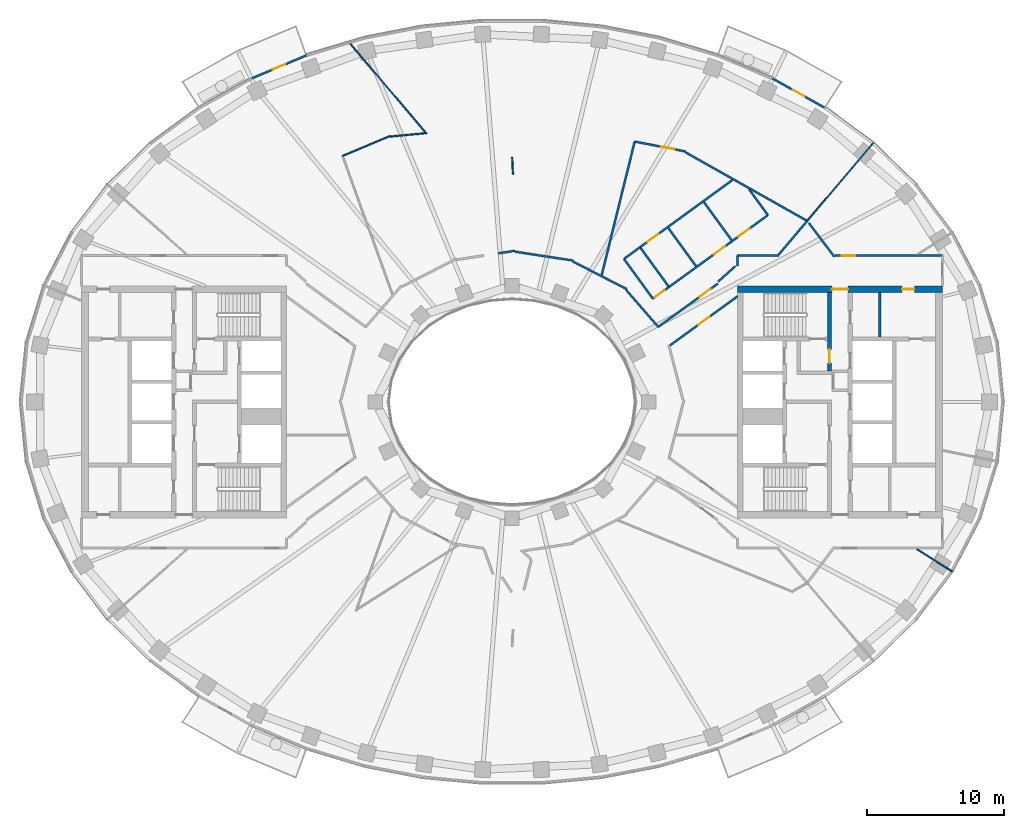
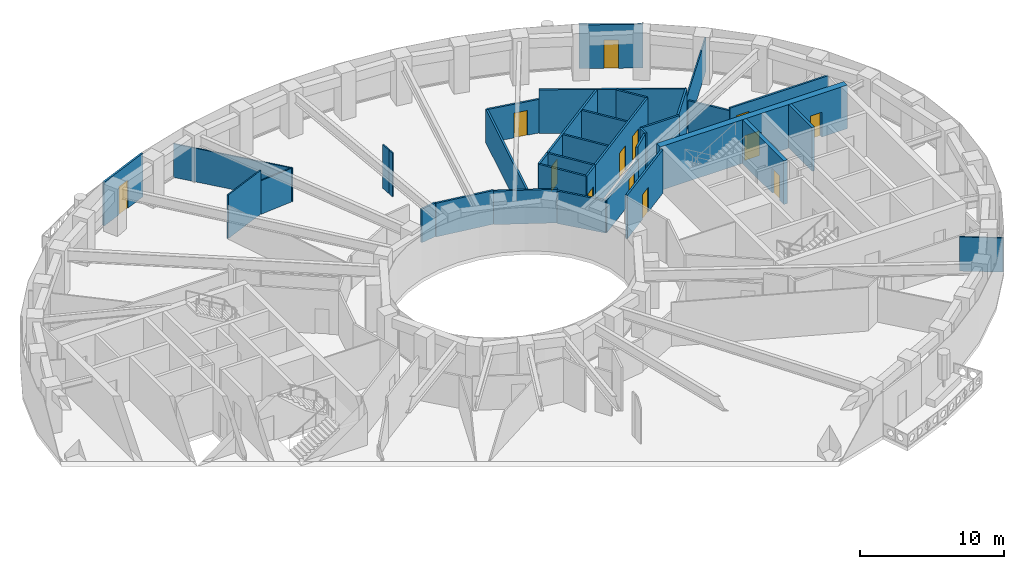
# One storey, part 6 of 15: 36 walls, 13 doors, 13 openings.
"""IFC4 building model written with IfcOpenShell, lengths in metres."""

from ifc_helpers import new_model, si_unit, direction, frame, frame_2d, origin, place, context, subcontext, project, spatial, rectangle, extrude, material, layer, layer_set, type_object, element, fill, save


model = new_model("IFC4")

# Units and contexts
model_context = context("Model", 3, precision=1e-05, world=origin(), true_north=direction((0.0, 1.0)))
body_context = subcontext(model_context, "Body", "Model", "MODEL_VIEW")
ifc_project = project(units=[si_unit("LENGTHUNIT", "METRE"), si_unit("AREAUNIT", "SQUARE_METRE"), si_unit("VOLUMEUNIT", "CUBIC_METRE"), si_unit("PLANEANGLEUNIT", "RADIAN"), si_unit("MASSUNIT", "GRAM", prefix="KILO")], contexts=[model_context])

# Site, building, storey
site_placement = place(None, origin())
site = spatial("IfcSite", under=ifc_project, at=site_placement, CompositionType="ELEMENT")
building_placement = place(site_placement, origin())
building = spatial("IfcBuilding", under=site, at=building_placement, Name="Noorbagh Ring Tower", CompositionType="ELEMENT")
storey_placement = place(building_placement, frame((0.0, 0.0, 194.0)))
storey = spatial("IfcBuildingStorey", under=building, at=storey_placement, Name="L45", CompositionType="ELEMENT", Elevation=194.0)

# Walls
ifc_material_1 = material(Name="Gypsum board on steel studs", Category="steel")
ifc_layer_1 = layer(ifc_material_1, 0.14990234375)
ifc_layer_set_1 = layer_set([ifc_layer_1], Name="Gypsum board on steel studs")
wall_type_1 = type_object("IfcWallType", Name="COMPARTMENT PARTITION 150 EI 60", PredefinedType="PARTITIONING", material=ifc_layer_set_1)
wall_1_placement = place(storey_placement, frame((8.195068359375, 10.462890625, 0.0), z_axis=(0.0, 0.0, 1.0), x_axis=(0.58806271403, -0.80881533391, 0.0)))
element("IfcWall", 1, at=wall_1_placement, inside=storey, type_object=wall_type_1, Name="L45/wall/P44", PredefinedType="PARTITIONING", context=body_context, shape_type="SweptSolid", body=[
    extrude(rectangle(XDim=3.596435546875, YDim=0.14990234375, at=frame_2d((1.79833984375, 0.0))), origin(), (0.0, 0.0, 1.0), 3.699951171875),
])
wall_2_placement = place(storey_placement, frame((8.196044921875, 10.468994140625, 0.0), z_axis=(0.0, 0.0, 1.0), x_axis=(0.809244737618, 0.587471662838, 0.0)))
element("IfcWall", 2, at=wall_2_placement, inside=storey, type_object=wall_type_1, Name="L45/wall/P45", PredefinedType="PARTITIONING", context=body_context, shape_type="SweptSolid", body=[
    extrude(rectangle(XDim=1.4521484375, YDim=0.14990234375, at=frame_2d((0.72607421875, 0.0))), origin(), (0.0, 0.0, 1.0), 3.699951171875),
])
wall_3_placement = place(storey_placement, frame((9.37109375, 11.322021484375, 0.0), z_axis=(0.0, 0.0, 1.0), x_axis=(0.58812733431, -0.808768346709, 0.0)))
element("IfcWall", 3, at=wall_3_placement, inside=storey, type_object=wall_type_1, Name="L45/wall/P49", PredefinedType="PARTITIONING", context=body_context, shape_type="SweptSolid", body=[
    extrude(rectangle(XDim=3.599365234375, YDim=0.14990234375, at=frame_2d((1.7998046875, 0.0))), origin(), (0.0, 0.0, 1.0), 3.699951171875),
])

# Wall, opening, door
wall_4_placement = place(storey_placement, frame((10.31005859375, 7.553955078125, 0.0), z_axis=(0.0, 0.0, 1.0), x_axis=(0.808663603061, 0.588271346476, 0.0)))
wall_4 = element("IfcWall", 4, at=wall_4_placement, inside=storey, type_object=wall_type_1, Name="L45/wall/P51", PredefinedType="PARTITIONING", context=body_context, shape_type="SweptSolid", body=[
    extrude(rectangle(XDim=1.456787109375, YDim=0.14990234375, at=frame_2d((0.728515625, 0.0))), origin(), (0.0, 0.0, 1.0), 3.699951171875),
])
opening_1_placement = place(wall_4_placement, frame((0.15673828125, 0.0, 0.0)))
opening_1 = element("IfcOpeningElement", 5, at=opening_1_placement, cuts=wall_4, Name="Opening D4", PredefinedType="OPENING", context=body_context, shape_type="SweptSolid", body=[
    extrude(rectangle(XDim=0.89990234375, YDim=2.10009765625, at=frame_2d((0.449951171875, 1.050048828125))), frame((0.0, 0.0849609375, 0.0), z_axis=(0.0, -1.0, 0.0), x_axis=(1.0, 0.0, 0.0)), (0.0, 0.0, 1.0), 0.169921875),
])
ifc_material_2 = material(Name="Timber, painted", Category="wood")
door_type_1 = type_object("IfcDoorType", Name="DOOR 900 X 2100 FD60", OperationType="SINGLE_SWING_LEFT", PredefinedType="DOOR", material=ifc_material_2)
door_1_placement = place(opening_1_placement, origin())
door_1 = element("IfcDoor", 6, at=door_1_placement, inside=storey, type_object=door_type_1, Name="L45-D05", OperationType="SINGLE_SWING_LEFT", OverallHeight=2.10009765625, OverallWidth=0.89990234375, PredefinedType="DOOR", context=body_context, shape_type="SweptSolid", body=[
    extrude(rectangle(XDim=0.89990234375, YDim=2.10009765625, at=frame_2d((0.449951171875, 1.050048828125))), frame((0.0, 0.02490234375, 0.0), z_axis=(0.0, -1.0, 0.0), x_axis=(1.0, 0.0, 0.0)), (0.0, 0.0, 1.0), 0.050048828125),
])
fill(opening_1, door_1)

# Wall
ifc_material_3 = material(Name="Gypsum board on steel studs", Category="steel")
ifc_layer_2 = layer(ifc_material_3, 0.199951171875)
ifc_layer_set_2 = layer_set([ifc_layer_2], Name="Gypsum board on steel studs")
wall_type_2 = type_object("IfcWallType", Name="CORE-PARTITION-200", PredefinedType="PARTITIONING", material=ifc_layer_set_2)
wall_5_placement = place(storey_placement, frame((26.89990234375, 4.75, 0.0), z_axis=(0.0, 0.0, 1.0), x_axis=(0.0, 1.0, 0.0)))
element("IfcWall", 7, at=wall_5_placement, inside=storey, type_object=wall_type_2, Name="Core partition E", PredefinedType="PARTITIONING", context=body_context, shape_type="SweptSolid", body=[
    extrude(rectangle(XDim=3.25, YDim=0.199951171875, at=frame_2d((1.625, 0.0))), origin(), (0.0, 0.0, 1.0), 3.699951171875),
])

# Wall, opening, door
ifc_material_4 = material(Name="Concrete C60/75", Category="concrete")
ifc_layer_3 = layer(ifc_material_4, 0.300048828125)
ifc_layer_set_3 = layer_set([ifc_layer_3], Name="Concrete C60/75")
wall_type_3 = type_object("IfcWallType", Name="CORE-WALL-300-C60-75-EI240", PredefinedType="SHEAR", material=ifc_layer_set_3)
wall_6_placement = place(storey_placement, frame((23.22998046875, 2.25, 0.0), z_axis=(0.0, 0.0, 1.0), x_axis=(0.0, 1.0, 0.0)))
wall_6 = element("IfcWall", 8, at=wall_6_placement, inside=storey, type_object=wall_type_3, Name="Core wall E", PredefinedType="SHEAR", context=body_context, shape_type="SweptSolid", body=[
    extrude(rectangle(XDim=5.75, YDim=0.300048828125, at=frame_2d((2.875, 0.0))), origin(), (0.0, 0.0, 1.0), 3.699951171875),
])
opening_2_placement = place(wall_6_placement, frame((0.60009765625, 0.0, 0.0)))
opening_2 = element("IfcOpeningElement", 9, at=opening_2_placement, cuts=wall_6, Name="Opening L45-CE10", PredefinedType="OPENING", context=body_context, shape_type="SweptSolid", body=[
    extrude(rectangle(XDim=1.0, YDim=2.10009765625, at=frame_2d((0.5, 1.050048828125))), frame((0.0, 0.16015625, 0.0), z_axis=(0.0, -1.0, 0.0), x_axis=(1.0, 0.0, 0.0)), (0.0, 0.0, 1.0), 0.320068359375),
])
ifc_material_5 = material(Name="Steel door leaf", Category="steel")
door_type_2 = type_object("IfcDoorType", Name="CORE-DOOR-DVEST", OperationType="SINGLE_SWING_LEFT", PredefinedType="DOOR", material=ifc_material_5)
door_2_placement = place(opening_2_placement, origin())
door_2 = element("IfcDoor", 10, at=door_2_placement, inside=storey, type_object=door_type_2, Name="Stair vestibule door L45-CE10", OperationType="SINGLE_SWING_RIGHT", OverallHeight=2.10009765625, OverallWidth=1.0, PredefinedType="DOOR", context=body_context, shape_type="SweptSolid", body=[
    extrude(rectangle(XDim=1.0, YDim=2.10009765625, at=frame_2d((0.5, 1.050048828125))), frame((0.0, 0.02490234375, 0.0), z_axis=(0.0, -1.0, 0.0), x_axis=(1.0, 0.0, 0.0)), (0.0, 0.0, 1.0), 0.050048828125),
])
fill(opening_2, door_2)

# Wall, openings, doors
ifc_material_6 = material(Name="Concrete C60/75", Category="concrete")
ifc_layer_4 = layer(ifc_material_6, 0.5)
ifc_layer_set_4 = layer_set([ifc_layer_4], Name="Concrete C60/75")
wall_type_4 = type_object("IfcWallType", Name="CORE-WALL-500-C60-75-EI240", PredefinedType="SHEAR", material=ifc_layer_set_4)
wall_7_placement = place(storey_placement, frame((16.5, 8.25, 0.0), z_axis=(0.0, 0.0, 1.0), x_axis=(1.0, 0.0, 0.0)))
wall_7 = element("IfcWall", 11, at=wall_7_placement, inside=storey, type_object=wall_type_4, Name="Core wall E", PredefinedType="SHEAR", context=body_context, shape_type="SweptSolid", body=[
    extrude(rectangle(XDim=15.0, YDim=0.5, at=frame_2d((7.5, 0.0))), origin(), (0.0, 0.0, 1.0), 3.699951171875),
])
opening_3_placement = place(wall_7_placement, frame((6.89990234375, 0.0, 0.0)))
opening_3 = element("IfcOpeningElement", 12, at=opening_3_placement, cuts=wall_7, Name="Opening L45-CE11", PredefinedType="OPENING", context=body_context, shape_type="SweptSolid", body=[
    extrude(rectangle(XDim=1.199951171875, YDim=2.10009765625, at=frame_2d((0.60009765625, 1.050048828125))), frame((0.0, 0.260009765625, 0.0), z_axis=(0.0, -1.0, 0.0), x_axis=(1.0, 0.0, 0.0)), (0.0, 0.0, 1.0), 0.52001953125),
])
opening_4_placement = place(wall_7_placement, frame((12.050048828125, 0.0, 0.0)))
opening_4 = element("IfcOpeningElement", 13, at=opening_4_placement, cuts=wall_7, Name="Opening L45-CE14", PredefinedType="OPENING", context=body_context, shape_type="SweptSolid", body=[
    extrude(rectangle(XDim=0.89990234375, YDim=2.10009765625, at=frame_2d((0.449951171875, 1.050048828125))), frame((0.0, 0.260009765625, 0.0), z_axis=(0.0, -1.0, 0.0), x_axis=(1.0, 0.0, 0.0)), (0.0, 0.0, 1.0), 0.52001953125),
])
ifc_material_7 = material(Name="Steel door leaf", Category="steel")
door_type_3 = type_object("IfcDoorType", Name="CORE-DOOR-DROOM", OperationType="SINGLE_SWING_LEFT", PredefinedType="DOOR", material=ifc_material_7)
door_3_placement = place(opening_4_placement, origin())
door_3 = element("IfcDoor", 14, at=door_3_placement, inside=storey, type_object=door_type_3, Name="Core room door L45-CE14", OperationType="SINGLE_SWING_LEFT", OverallHeight=2.10009765625, OverallWidth=0.89990234375, PredefinedType="DOOR", context=body_context, shape_type="SweptSolid", body=[
    extrude(rectangle(XDim=0.89990234375, YDim=2.10009765625, at=frame_2d((0.449951171875, 1.050048828125))), frame((0.0, 0.02490234375, 0.0), z_axis=(0.0, -1.0, 0.0), x_axis=(1.0, 0.0, 0.0)), (0.0, 0.0, 1.0), 0.050048828125),
])
fill(opening_4, door_3)
ifc_material_8 = material(Name="Steel door leaf", Category="steel")
door_type_4 = type_object("IfcDoorType", Name="CORE-DOOR-PORT", OperationType="DOUBLE_DOOR_DOUBLE_SWING", PredefinedType="DOOR", material=ifc_material_8)
door_4_placement = place(opening_3_placement, origin())
door_4 = element("IfcDoor", 15, at=door_4_placement, inside=storey, type_object=door_type_4, Name="Core entrance door L45-CE11", OperationType="DOUBLE_DOOR_DOUBLE_SWING", OverallHeight=2.10009765625, OverallWidth=1.199951171875, PredefinedType="DOOR", context=body_context, shape_type="SweptSolid", body=[
    extrude(rectangle(XDim=1.199951171875, YDim=2.10009765625, at=frame_2d((0.60009765625, 1.050048828125))), frame((0.0, 0.02490234375, 0.0), z_axis=(0.0, -1.0, 0.0), x_axis=(1.0, 0.0, 0.0)), (0.0, 0.0, 1.0), 0.050048828125),
])
fill(opening_3, door_4)

# Walls
ifc_material_9 = material(Name="Gypsum board on steel studs", Category="steel")
ifc_layer_5 = layer(ifc_material_9, 0.14990234375)
ifc_layer_set_5 = layer_set([ifc_layer_5], Name="Gypsum board on steel studs")
wall_type_5 = type_object("IfcWallType", Name="CORRIDOR PARTITION 150 EI 30", PredefinedType="PARTITIONING", material=ifc_layer_set_5)
wall_8_placement = place(storey_placement, frame((-0.992919921875, 10.8779296875, 0.0), z_axis=(0.0, 0.0, 1.0), x_axis=(0.988528636602, 0.151033554609, 0.0)))
element("IfcWall", 16, at=wall_8_placement, inside=storey, type_object=wall_type_5, Name="L45/wall/P30", PredefinedType="PARTITIONING", context=body_context, shape_type="SweptSolid", body=[
    extrude(rectangle(XDim=1.21875, YDim=0.14990234375, at=frame_2d((0.609375, 0.0))), origin(), (0.0, 0.0, 1.0), 2.85009765625),
])
wall_9_placement = place(storey_placement, frame((0.2119140625, 10.998046875, 0.0), z_axis=(0.0, 0.0, 1.0), x_axis=(0.988461077757, -0.151475073064, 0.0)))
element("IfcWall", 17, at=wall_9_placement, inside=storey, type_object=wall_type_5, Name="L45/wall/P32", PredefinedType="PARTITIONING", context=body_context, shape_type="SweptSolid", body=[
    extrude(rectangle(XDim=4.31787109375, YDim=0.14990234375, at=frame_2d((2.158935546875, 0.0))), origin(), (0.0, 0.0, 1.0), 2.85009765625),
])
wall_10_placement = place(storey_placement, frame((4.458984375, 10.278076171875, 0.0), z_axis=(0.0, 0.0, 1.0), x_axis=(0.889360097773, -0.457207410799, 0.0)))
element("IfcWall", 18, at=wall_10_placement, inside=storey, type_object=wall_type_5, Name="L45/wall/P41", PredefinedType="PARTITIONING", context=body_context, shape_type="SweptSolid", body=[
    extrude(rectangle(XDim=4.43359375, YDim=0.14990234375, at=frame_2d((2.216796875, 0.0))), origin(), (0.0, 0.0, 1.0), 2.85009765625),
])
wall_11_placement = place(storey_placement, frame((6.56396484375, 9.283935546875, 0.0), z_axis=(0.0, 0.0, 1.0), x_axis=(0.239852170724, 0.970809423213, 0.0)))
element("IfcWall", 19, at=wall_11_placement, inside=storey, type_object=wall_type_5, Name="L45/wall/P42", PredefinedType="PARTITIONING", context=body_context, shape_type="SweptSolid", body=[
    extrude(rectangle(XDim=10.064697265625, YDim=0.14990234375, at=frame_2d((5.0322265625, 0.0))), origin(), (0.0, 0.0, 1.0), 2.85009765625),
])
wall_12_placement = place(storey_placement, frame((8.35498046875, 8.18994140625, 0.0), z_axis=(0.0, 0.0, 1.0), x_axis=(0.656332459324, -0.754471803871, 0.0)))
element("IfcWall", 20, at=wall_12_placement, inside=storey, type_object=wall_type_5, Name="L45/wall/P47", PredefinedType="PARTITIONING", context=body_context, shape_type="SweptSolid", body=[
    extrude(rectangle(XDim=3.577392578125, YDim=0.14990234375, at=frame_2d((1.78857421875, 0.0))), origin(), (0.0, 0.0, 1.0), 2.75),
])

# Wall, opening, door
wall_13_placement = place(storey_placement, frame((8.97802734375, 19.054931640625, 0.0), z_axis=(0.0, 0.0, 1.0), x_axis=(0.981391609534, -0.192016949083, 0.0)))
wall_13 = element("IfcWall", 21, at=wall_13_placement, inside=storey, type_object=wall_type_5, Name="L45/wall/P48", PredefinedType="PARTITIONING", context=body_context, shape_type="SweptSolid", body=[
    extrude(rectangle(XDim=3.8271484375, YDim=0.14990234375, at=frame_2d((1.91357421875, 0.0))), origin(), (0.0, 0.0, 1.0), 2.85009765625),
])
opening_5_placement = place(wall_13_placement, frame((1.962890625, 0.0, 0.0)))
opening_5 = element("IfcOpeningElement", 22, at=opening_5_placement, cuts=wall_13, Name="Opening D1", PredefinedType="OPENING", context=body_context, shape_type="SweptSolid", body=[
    extrude(rectangle(XDim=1.0, YDim=2.10009765625, at=frame_2d((0.5, 1.050048828125))), frame((0.0, 0.0849609375, 0.0), z_axis=(0.0, -1.0, 0.0), x_axis=(1.0, 0.0, 0.0)), (0.0, 0.0, 1.0), 0.169921875),
])
ifc_material_10 = material(Name="Timber, painted", Category="wood")
door_type_5 = type_object("IfcDoorType", Name="DOOR 1000 X 2100 FD30", OperationType="SINGLE_SWING_LEFT", PredefinedType="DOOR", material=ifc_material_10)
door_5_placement = place(opening_5_placement, origin())
door_5 = element("IfcDoor", 23, at=door_5_placement, inside=storey, type_object=door_type_5, Name="L45-D11", OperationType="SINGLE_SWING_LEFT", OverallHeight=2.10009765625, OverallWidth=1.0, PredefinedType="DOOR", context=body_context, shape_type="SweptSolid", body=[
    extrude(rectangle(XDim=1.0, YDim=2.10009765625, at=frame_2d((0.5, 1.050048828125))), frame((0.0, 0.02490234375, 0.0), z_axis=(0.0, -1.0, 0.0), x_axis=(1.0, 0.0, 0.0)), (0.0, 0.0, 1.0), 0.050048828125),
])
fill(opening_5, door_5)

wall_14_placement = place(storey_placement, frame((9.37109375, 11.322021484375, 0.0), z_axis=(0.0, 0.0, 1.0), x_axis=(0.808791618249, 0.588095330921, 0.0)))
wall_14 = element("IfcWall", 24, at=wall_14_placement, inside=storey, type_object=wall_type_5, Name="L45/wall/P50", PredefinedType="PARTITIONING", context=body_context, shape_type="SweptSolid", body=[
    extrude(rectangle(XDim=8.3642578125, YDim=0.14990234375, at=frame_2d((4.18212890625, 0.0))), origin(), (0.0, 0.0, 1.0), 3.699951171875),
])
opening_6_placement = place(wall_14_placement, frame((0.64990234375, 0.0, 0.0)))
opening_6 = element("IfcOpeningElement", 25, at=opening_6_placement, cuts=wall_14, Name="Opening D3", PredefinedType="OPENING", context=body_context, shape_type="SweptSolid", body=[
    extrude(rectangle(XDim=1.0, YDim=2.10009765625, at=frame_2d((0.5, 1.050048828125))), frame((0.0, 0.0849609375, 0.0), z_axis=(0.0, -1.0, 0.0), x_axis=(1.0, 0.0, 0.0)), (0.0, 0.0, 1.0), 0.169921875),
])
ifc_material_11 = material(Name="Timber, painted", Category="wood")
door_type_6 = type_object("IfcDoorType", Name="DOOR 1000 X 2100 WC", OperationType="SINGLE_SWING_LEFT", PredefinedType="DOOR", material=ifc_material_11)
door_6_placement = place(opening_6_placement, origin())
door_6 = element("IfcDoor", 26, at=door_6_placement, inside=storey, type_object=door_type_6, Name="L45-D04", OperationType="SINGLE_SWING_RIGHT", OverallHeight=2.10009765625, OverallWidth=1.0, PredefinedType="DOOR", context=body_context, shape_type="SweptSolid", body=[
    extrude(rectangle(XDim=1.0, YDim=2.10009765625, at=frame_2d((0.5, 1.050048828125))), frame((0.0, 0.02490234375, 0.0), z_axis=(0.0, -1.0, 0.0), x_axis=(1.0, 0.0, 0.0)), (0.0, 0.0, 1.0), 0.050048828125),
])
fill(opening_6, door_6)

wall_15_placement = place(storey_placement, frame((10.702880859375, 5.490966796875, 0.0), z_axis=(0.0, 0.0, 1.0), x_axis=(0.808838005268, 0.588031530816, 0.0)))
wall_15 = element("IfcWall", 27, at=wall_15_placement, inside=storey, type_object=wall_type_5, Name="L45/wall/P53", PredefinedType="PARTITIONING", context=body_context, shape_type="SweptSolid", body=[
    extrude(rectangle(XDim=5.3857421875, YDim=0.14990234375, at=frame_2d((2.69287109375, 0.0))), origin(), (0.0, 0.0, 1.0), 2.75),
])
opening_7_placement = place(wall_15_placement, frame((3.735595703125, 0.0, 0.0)))
opening_7 = element("IfcOpeningElement", 28, at=opening_7_placement, cuts=wall_15, Name="Opening D1", PredefinedType="OPENING", context=body_context, shape_type="SweptSolid", body=[
    extrude(rectangle(XDim=1.0, YDim=2.10009765625, at=frame_2d((0.5, 1.050048828125))), frame((0.0, 0.0849609375, 0.0), z_axis=(0.0, -1.0, 0.0), x_axis=(1.0, 0.0, 0.0)), (0.0, 0.0, 1.0), 0.169921875),
])
door_7_placement = place(opening_7_placement, origin())
door_7 = element("IfcDoor", 29, at=door_7_placement, inside=storey, type_object=door_type_5, Name="L45-D01", OperationType="SINGLE_SWING_LEFT", OverallHeight=2.10009765625, OverallWidth=1.0, PredefinedType="DOOR", context=body_context, shape_type="SweptSolid", body=[
    extrude(rectangle(XDim=1.0, YDim=2.10009765625, at=frame_2d((0.5, 1.050048828125))), frame((0.0, 0.02490234375, 0.0), z_axis=(0.0, -1.0, 0.0), x_axis=(1.0, 0.0, 0.0)), (0.0, 0.0, 1.0), 0.050048828125),
])
fill(opening_7, door_7)

# Wall
wall_16_placement = place(storey_placement, frame((11.43408203125, 12.72900390625, 0.0), z_axis=(0.0, 0.0, 1.0), x_axis=(0.58811278346, -0.808778927724, 0.0)))
element("IfcWall", 30, at=wall_16_placement, inside=storey, type_object=wall_type_5, Name="L45/wall/P54", PredefinedType="PARTITIONING", context=body_context, shape_type="SweptSolid", body=[
    extrude(rectangle(XDim=3.44970703125, YDim=0.14990234375, at=frame_2d((1.724853515625, 0.0))), origin(), (0.0, 0.0, 1.0), 3.699951171875),
])

# Wall, openings, doors
wall_17_placement = place(storey_placement, frame((11.488037109375, 8.410888671875, 0.0), z_axis=(0.0, 0.0, 1.0), x_axis=(0.808982738357, 0.587832398767, 0.0)))
wall_17 = element("IfcWall", 31, at=wall_17_placement, inside=storey, type_object=wall_type_5, Name="L45/wall/P55", PredefinedType="PARTITIONING", context=body_context, shape_type="SweptSolid", body=[
    extrude(rectangle(XDim=8.943115234375, YDim=0.14990234375, at=frame_2d((4.4716796875, 0.0))), origin(), (0.0, 0.0, 1.0), 3.699951171875),
])
opening_8_placement = place(wall_17_placement, frame((6.293701171875, 0.0, 0.0)))
opening_8 = element("IfcOpeningElement", 32, at=opening_8_placement, cuts=wall_17, Name="Opening D3", PredefinedType="OPENING", context=body_context, shape_type="SweptSolid", body=[
    extrude(rectangle(XDim=1.0, YDim=2.10009765625, at=frame_2d((0.5, 1.050048828125))), frame((0.0, 0.0849609375, 0.0), z_axis=(0.0, -1.0, 0.0), x_axis=(1.0, 0.0, 0.0)), (0.0, 0.0, 1.0), 0.169921875),
])
opening_9_placement = place(wall_17_placement, frame((4.069091796875, 0.0, 0.0)))
opening_9 = element("IfcOpeningElement", 33, at=opening_9_placement, cuts=wall_17, Name="Opening D3", PredefinedType="OPENING", context=body_context, shape_type="SweptSolid", body=[
    extrude(rectangle(XDim=1.0, YDim=2.10009765625, at=frame_2d((0.5, 1.050048828125))), frame((0.0, 0.0849609375, 0.0), z_axis=(0.0, -1.0, 0.0), x_axis=(1.0, 0.0, 0.0)), (0.0, 0.0, 1.0), 0.169921875),
])
door_8_placement = place(opening_8_placement, origin())
door_8 = element("IfcDoor", 34, at=door_8_placement, inside=storey, type_object=door_type_6, Name="L45-D02", OperationType="SINGLE_SWING_RIGHT", OverallHeight=2.10009765625, OverallWidth=1.0, PredefinedType="DOOR", context=body_context, shape_type="SweptSolid", body=[
    extrude(rectangle(XDim=1.0, YDim=2.10009765625, at=frame_2d((0.5, 1.050048828125))), frame((0.0, 0.02490234375, 0.0), z_axis=(0.0, -1.0, 0.0), x_axis=(1.0, 0.0, 0.0)), (0.0, 0.0, 1.0), 0.050048828125),
])
fill(opening_8, door_8)
door_9_placement = place(opening_9_placement, origin())
door_9 = element("IfcDoor", 35, at=door_9_placement, inside=storey, type_object=door_type_6, Name="L45-D03", OperationType="SINGLE_SWING_LEFT", OverallHeight=2.10009765625, OverallWidth=1.0, PredefinedType="DOOR", context=body_context, shape_type="SweptSolid", body=[
    extrude(rectangle(XDim=1.0, YDim=2.10009765625, at=frame_2d((0.5, 1.050048828125))), frame((0.0, 0.02490234375, 0.0), z_axis=(0.0, -1.0, 0.0), x_axis=(1.0, 0.0, 0.0)), (0.0, 0.0, 1.0), 0.050048828125),
])
fill(opening_9, door_9)

# Wall, opening, door
wall_18_placement = place(storey_placement, frame((11.555908203125, 4.133056640625, 0.0), z_axis=(0.0, 0.0, 1.0), x_axis=(0.808869060288, 0.587988812231, 0.0)))
wall_18 = element("IfcWall", 36, at=wall_18_placement, inside=storey, type_object=wall_type_5, Name="L45/wall/P59", PredefinedType="PARTITIONING", context=body_context, shape_type="SweptSolid", body=[
    extrude(rectangle(XDim=6.1123046875, YDim=0.14990234375, at=frame_2d((3.05615234375, 0.0))), origin(), (0.0, 0.0, 1.0), 3.699951171875),
])
opening_10_placement = place(wall_18_placement, frame((2.56982421875, 0.0, 0.0)))
opening_10 = element("IfcOpeningElement", 37, at=opening_10_placement, cuts=wall_18, Name="Opening D1", PredefinedType="OPENING", context=body_context, shape_type="SweptSolid", body=[
    extrude(rectangle(XDim=1.0, YDim=2.10009765625, at=frame_2d((0.5, 1.050048828125))), frame((0.0, 0.0849609375, 0.0), z_axis=(0.0, -1.0, 0.0), x_axis=(1.0, 0.0, 0.0)), (0.0, 0.0, 1.0), 0.169921875),
])
door_10_placement = place(opening_10_placement, origin())
door_10 = element("IfcDoor", 38, at=door_10_placement, inside=storey, type_object=door_type_5, Name="L45-D20", OperationType="SINGLE_SWING_RIGHT", OverallHeight=2.10009765625, OverallWidth=1.0, PredefinedType="DOOR", context=body_context, shape_type="SweptSolid", body=[
    extrude(rectangle(XDim=1.0, YDim=2.10009765625, at=frame_2d((0.5, 1.050048828125))), frame((0.0, 0.02490234375, 0.0), z_axis=(0.0, -1.0, 0.0), x_axis=(1.0, 0.0, 0.0)), (0.0, 0.0, 1.0), 0.050048828125),
])
fill(opening_10, door_10)

# Walls
wall_19_placement = place(storey_placement, frame((12.7109375, 18.258056640625, 0.0), z_axis=(0.0, 0.0, 1.0), x_axis=(0.871190713924, -0.490944742279, 0.0)))
element("IfcWall", 39, at=wall_19_placement, inside=storey, type_object=wall_type_5, Name="L45/wall/P61", PredefinedType="PARTITIONING", context=body_context, shape_type="SweptSolid", body=[
    extrude(rectangle(XDim=10.206787109375, YDim=0.14990234375, at=frame_2d((5.103515625, 0.0))), origin(), (0.0, 0.0, 1.0), 3.699951171875),
])
wall_20_placement = place(storey_placement, frame((14.041015625, 14.625, 0.0), z_axis=(0.0, 0.0, 1.0), x_axis=(0.588159073989, -0.808745265015, 0.0)))
element("IfcWall", 40, at=wall_20_placement, inside=storey, type_object=wall_type_5, Name="L45/wall/P62", PredefinedType="PARTITIONING", context=body_context, shape_type="SweptSolid", body=[
    extrude(rectangle(XDim=3.449951171875, YDim=0.14990234375, at=frame_2d((1.72509765625, 0.0))), origin(), (0.0, 0.0, 1.0), 3.699951171875),
])
wall_21_placement = place(storey_placement, frame((16.5, 9.964111328125, 0.0), z_axis=(0.0, 0.0, 1.0), x_axis=(0.0, 1.0, 0.0)))
element("IfcWall", 41, at=wall_21_placement, inside=storey, type_object=wall_type_5, Name="L45/wall/P65", PredefinedType="PARTITIONING", context=body_context, shape_type="SweptSolid", body=[
    extrude(rectangle(XDim=0.73583984375, YDim=0.14990234375, at=frame_2d((0.367919921875, 0.0))), origin(), (0.0, 0.0, 1.0), 3.699951171875),
])
wall_22_placement = place(storey_placement, frame((16.5, 10.699951171875, 0.0), z_axis=(0.0, 0.0, 1.0), x_axis=(1.0, 0.0, 0.0)))
element("IfcWall", 42, at=wall_22_placement, inside=storey, type_object=wall_type_5, Name="L45/wall/P66", PredefinedType="PARTITIONING", context=body_context, shape_type="SweptSolid", body=[
    extrude(rectangle(XDim=3.04296875, YDim=0.14990234375, at=frame_2d((1.521484375, 0.0))), origin(), (0.0, 0.0, 1.0), 3.699951171875),
])
wall_23_placement = place(storey_placement, frame((17.35107421875, 15.554931640625, 0.0), z_axis=(0.0, 0.0, 1.0), x_axis=(0.588153012962, -0.808749672855, 0.0)))
element("IfcWall", 43, at=wall_23_placement, inside=storey, type_object=wall_type_5, Name="L45/wall/P67", PredefinedType="PARTITIONING", context=body_context, shape_type="SweptSolid", body=[
    extrude(rectangle(XDim=2.330810546875, YDim=0.14990234375, at=frame_2d((1.16552734375, 0.0))), origin(), (0.0, 0.0, 1.0), 3.699951171875),
])
wall_24_placement = place(storey_placement, frame((19.510986328125, 10.778076171875, 0.0), z_axis=(0.0, 0.0, 1.0), x_axis=(0.646314086505, 0.763071491792, 0.0)))
element("IfcWall", 44, at=wall_24_placement, inside=storey, type_object=wall_type_5, Name="L45/wall/P69", PredefinedType="PARTITIONING", context=body_context, shape_type="SweptSolid", body=[
    extrude(rectangle(XDim=3.23681640625, YDim=0.14990234375, at=frame_2d((1.618408203125, 0.0))), origin(), (0.0, 0.0, 1.0), 3.699951171875),
])
wall_25_placement = place(storey_placement, frame((21.716064453125, 13.097900390625, 0.0), z_axis=(0.0, 0.0, 1.0), x_axis=(0.603132715751, -0.797640851004, 0.0)))
element("IfcWall", 45, at=wall_25_placement, inside=storey, type_object=wall_type_5, Name="L45/wall/P73", PredefinedType="PARTITIONING", context=body_context, shape_type="SweptSolid", body=[
    extrude(rectangle(XDim=3.100341796875, YDim=0.14990234375, at=frame_2d((1.55029296875, 0.0))), origin(), (0.0, 0.0, 1.0), 2.75),
])

# Wall, opening, door
wall_26_placement = place(storey_placement, frame((23.623046875, 10.699951171875, 0.0), z_axis=(0.0, 0.0, 1.0), x_axis=(1.0, 0.0, 0.0)))
wall_26 = element("IfcWall", 46, at=wall_26_placement, inside=storey, type_object=wall_type_5, Name="L45/wall/P76", PredefinedType="PARTITIONING", context=body_context, shape_type="SweptSolid", body=[
    extrude(rectangle(XDim=7.876953125, YDim=0.14990234375, at=frame_2d((3.9384765625, 0.0))), origin(), (0.0, 0.0, 1.0), 2.89990234375),
])
opening_11_placement = place(wall_26_placement, frame((0.498046875, 0.0, 0.0)))
opening_11 = element("IfcOpeningElement", 47, at=opening_11_placement, cuts=wall_26, Name="Opening D1", PredefinedType="OPENING", context=body_context, shape_type="SweptSolid", body=[
    extrude(rectangle(XDim=1.0, YDim=2.10009765625, at=frame_2d((0.5, 1.050048828125))), frame((0.0, 0.0849609375, 0.0), z_axis=(0.0, -1.0, 0.0), x_axis=(1.0, 0.0, 0.0)), (0.0, 0.0, 1.0), 0.169921875),
])
door_11_placement = place(opening_11_placement, origin())
door_11 = element("IfcDoor", 48, at=door_11_placement, inside=storey, type_object=door_type_5, Name="L45-D14", OperationType="SINGLE_SWING_RIGHT", OverallHeight=2.10009765625, OverallWidth=1.0, PredefinedType="DOOR", context=body_context, shape_type="SweptSolid", body=[
    extrude(rectangle(XDim=1.0, YDim=2.10009765625, at=frame_2d((0.5, 1.050048828125))), frame((0.0, 0.02490234375, 0.0), z_axis=(0.0, -1.0, 0.0), x_axis=(1.0, 0.0, 0.0)), (0.0, 0.0, 1.0), 0.050048828125),
])
fill(opening_11, door_11)

# Wall
wall_27_placement = place(storey_placement, frame((15.083984375, 8.805908203125, 0.0), z_axis=(0.0, 0.0, 1.0), x_axis=(0.744832366149, 0.667251636444, 0.0)))
element("IfcWall", 49, at=wall_27_placement, inside=storey, type_object=wall_type_5, Name="L45/wall/P85", PredefinedType="PARTITIONING", context=body_context, shape_type="SweptSolid", body=[
    extrude(rectangle(XDim=1.702392578125, YDim=0.14990234375, at=frame_2d((0.85107421875, 0.0))), origin(), (0.0, 0.0, 1.0), 3.699951171875),
])

# Wall, opening, door
ifc_material_12 = material(Name="Insulated aluminium clad panel", Category="aluminium")
ifc_layer_6 = layer(ifc_material_12, 0.14990234375)
ifc_layer_set_6 = layer_set([ifc_layer_6], Name="Insulated aluminium clad panel")
wall_type_6 = type_object("IfcWallType", Name="ENV-WALL-DOOR", PredefinedType="STANDARD", material=ifc_layer_set_6)
wall_28_placement = place(storey_placement, frame((22.913330078125, 21.508544921875, 0.0), z_axis=(0.0, 0.0, 1.0), x_axis=(-0.872046572975, 0.489422899509, 0.0)))
wall_28 = element("IfcWall", 50, at=wall_28_placement, inside=storey, type_object=wall_type_6, Name="Balcony door wall chord 07", PredefinedType="STANDARD", context=body_context, shape_type="SweptSolid", body=[
    extrude(rectangle(XDim=4.425537109375, YDim=0.14990234375, at=frame_2d((2.212890625, 0.0))), origin(), (0.0, 0.0, 1.0), 3.699951171875),
])
opening_12_placement = place(wall_28_placement, frame((1.712646484375, 0.0, 0.0)))
opening_12 = element("IfcOpeningElement", 51, at=opening_12_placement, cuts=wall_28, Name="Opening D-BL", PredefinedType="OPENING", context=body_context, shape_type="SweptSolid", body=[
    extrude(rectangle(XDim=1.0, YDim=2.39990234375, at=frame_2d((0.5, 1.199951171875))), frame((0.0, 0.0849609375, 0.0), z_axis=(0.0, -1.0, 0.0), x_axis=(1.0, 0.0, 0.0)), (0.0, 0.0, 1.0), 0.169921875),
])
ifc_material_13 = material(Name="Aluminium and glass", Category="aluminium")
door_type_7 = type_object("IfcDoorType", Name="ENV-DOOR-BALCONY", OperationType="SINGLE_SWING_LEFT", PredefinedType="DOOR", material=ifc_material_13)
door_12_placement = place(opening_12_placement, origin())
door_12 = element("IfcDoor", 52, at=door_12_placement, inside=storey, type_object=door_type_7, Name="Balcony door chord 07", OperationType="SINGLE_SWING_RIGHT", OverallHeight=2.39990234375, OverallWidth=1.0, PredefinedType="DOOR", context=body_context, shape_type="SweptSolid", body=[
    extrude(rectangle(XDim=1.0, YDim=2.39990234375, at=frame_2d((0.5, 1.199951171875))), frame((0.0, 0.02490234375, 0.0), z_axis=(0.0, -1.0, 0.0), x_axis=(1.0, 0.0, 0.0)), (0.0, 0.0, 1.0), 0.050048828125),
])
fill(opening_12, door_12)

wall_29_placement = place(storey_placement, frame((-15.017822265625, 25.368896484375, 0.0), z_axis=(0.0, 0.0, 1.0), x_axis=(-0.921816985161, -0.387625393736, 0.0)))
wall_29 = element("IfcWall", 53, at=wall_29_placement, inside=storey, type_object=wall_type_6, Name="Balcony door wall chord 16", PredefinedType="STANDARD", context=body_context, shape_type="SweptSolid", body=[
    extrude(rectangle(XDim=4.42578125, YDim=0.14990234375, at=frame_2d((2.212890625, 0.0))), origin(), (0.0, 0.0, 1.0), 3.699951171875),
])
opening_13_placement = place(wall_29_placement, frame((1.712890625, 0.0, 0.0)))
opening_13 = element("IfcOpeningElement", 54, at=opening_13_placement, cuts=wall_29, Name="Opening D-BL", PredefinedType="OPENING", context=body_context, shape_type="SweptSolid", body=[
    extrude(rectangle(XDim=1.0, YDim=2.39990234375, at=frame_2d((0.5, 1.199951171875))), frame((0.0, 0.0849609375, 0.0), z_axis=(0.0, -1.0, 0.0), x_axis=(1.0, 0.0, 0.0)), (0.0, 0.0, 1.0), 0.169921875),
])
door_13_placement = place(opening_13_placement, origin())
door_13 = element("IfcDoor", 55, at=door_13_placement, inside=storey, type_object=door_type_7, Name="Balcony door chord 16", OperationType="SINGLE_SWING_RIGHT", OverallHeight=2.39990234375, OverallWidth=1.0, PredefinedType="DOOR", context=body_context, shape_type="SweptSolid", body=[
    extrude(rectangle(XDim=1.0, YDim=2.39990234375, at=frame_2d((0.5, 1.199951171875))), frame((0.0, 0.02490234375, 0.0), z_axis=(0.0, -1.0, 0.0), x_axis=(1.0, 0.0, 0.0)), (0.0, 0.0, 1.0), 0.050048828125),
])
fill(opening_13, door_13)

# Walls
ifc_material_14 = material(Name="Gypsum board on steel studs", Category="steel")
ifc_layer_7 = layer(ifc_material_14, 0.10009765625)
ifc_layer_set_7 = layer_set([ifc_layer_7], Name="Gypsum board on steel studs")
wall_type_7 = type_object("IfcWallType", Name="PARTITION 100 GYPSUM", PredefinedType="PARTITIONING", material=ifc_layer_set_7)
wall_30_placement = place(storey_placement, frame((-12.39306640625, 17.9990234375, 0.0), z_axis=(0.0, 0.0, 1.0), x_axis=(0.921243349635, 0.388986748816, 0.0)))
element("IfcWall", 56, at=wall_30_placement, inside=storey, type_object=wall_type_7, Name="L45/wall/P17", PredefinedType="PARTITIONING", context=body_context, shape_type="SweptSolid", body=[
    extrude(rectangle(XDim=3.755859375, YDim=0.10009765625, at=frame_2d((1.8779296875, 0.0))), origin(), (0.0, 0.0, 1.0), 3.699951171875),
])
wall_31_placement = place(storey_placement, frame((-11.925048828125, 26.322998046875, 0.0), z_axis=(0.0, 0.0, 1.0), x_axis=(0.646450651597, -0.762955801505, 0.0)))
element("IfcWall", 57, at=wall_31_placement, inside=storey, type_object=wall_type_7, Name="L45/wall/P19", PredefinedType="PARTITIONING", context=body_context, shape_type="SweptSolid", body=[
    extrude(rectangle(XDim=8.7802734375, YDim=0.10009765625, at=frame_2d((4.39013671875, 0.0))), origin(), (0.0, 0.0, 1.0), 2.85009765625),
])
wall_32_placement = place(storey_placement, frame((-8.923095703125, 19.41796875, 0.0), z_axis=(0.0, 0.0, 1.0), x_axis=(0.995460608392, 0.095174456346, 0.0)))
element("IfcWall", 58, at=wall_32_placement, inside=storey, type_object=wall_type_7, Name="L45/wall/P24", PredefinedType="PARTITIONING", context=body_context, shape_type="SweptSolid", body=[
    extrude(rectangle(XDim=2.585693359375, YDim=0.10009765625, at=frame_2d((1.29296875, 0.0))), origin(), (0.0, 0.0, 1.0), 2.85009765625),
])
wall_33_placement = place(storey_placement, frame((0.010986328125, 17.89208984375, 0.0), z_axis=(0.0, 0.0, 1.0), x_axis=(0.047269641715, -0.998882165709, 0.0)))
element("IfcWall", 59, at=wall_33_placement, inside=storey, type_object=wall_type_7, Name="L45/wall/P34", PredefinedType="PARTITIONING", context=body_context, shape_type="SweptSolid", body=[
    extrude(rectangle(XDim=0.78515625, YDim=0.10009765625, at=frame_2d((0.392578125, 0.0))), origin(), (0.0, 0.0, 1.0), 3.699951171875),
])
wall_34_placement = place(storey_placement, frame((0.049072265625, 17.0810546875, 0.0), z_axis=(0.0, 0.0, 1.0), x_axis=(0.047263912187, -0.998882436829, 0.0)))
element("IfcWall", 60, at=wall_34_placement, inside=storey, type_object=wall_type_7, Name="L45/wall/P36", PredefinedType="PARTITIONING", context=body_context, shape_type="SweptSolid", body=[
    extrude(rectangle(XDim=0.423583984375, YDim=0.10009765625, at=frame_2d((0.2119140625, 0.0))), origin(), (0.0, 0.0, 1.0), 3.699951171875),
])
wall_35_placement = place(storey_placement, frame((21.60302734375, 13.248046875, 0.0), z_axis=(0.0, 0.0, 1.0), x_axis=(0.646437509972, 0.762966936179, 0.0)))
element("IfcWall", 61, at=wall_35_placement, inside=storey, type_object=wall_type_7, Name="L45/wall/P74", PredefinedType="PARTITIONING", context=body_context, shape_type="SweptSolid", body=[
    extrude(rectangle(XDim=7.467041015625, YDim=0.10009765625, at=frame_2d((3.7333984375, 0.0))), origin(), (0.0, 0.0, 1.0), 2.89990234375),
])
wall_36_placement = place(storey_placement, frame((29.636962890625, -10.777099609375, 0.0), z_axis=(0.0, 0.0, 1.0), x_axis=(0.844810627195, -0.535065420467, 0.0)))
element("IfcWall", 62, at=wall_36_placement, inside=storey, type_object=wall_type_7, Name="L45/wall/P77", PredefinedType="PARTITIONING", context=body_context, shape_type="SweptSolid", body=[
    extrude(rectangle(XDim=3.0478515625, YDim=0.10009765625, at=frame_2d((1.52392578125, 0.0))), origin(), (0.0, 0.0, 1.0), 2.89990234375),
])

save(model, "model.ifc")
